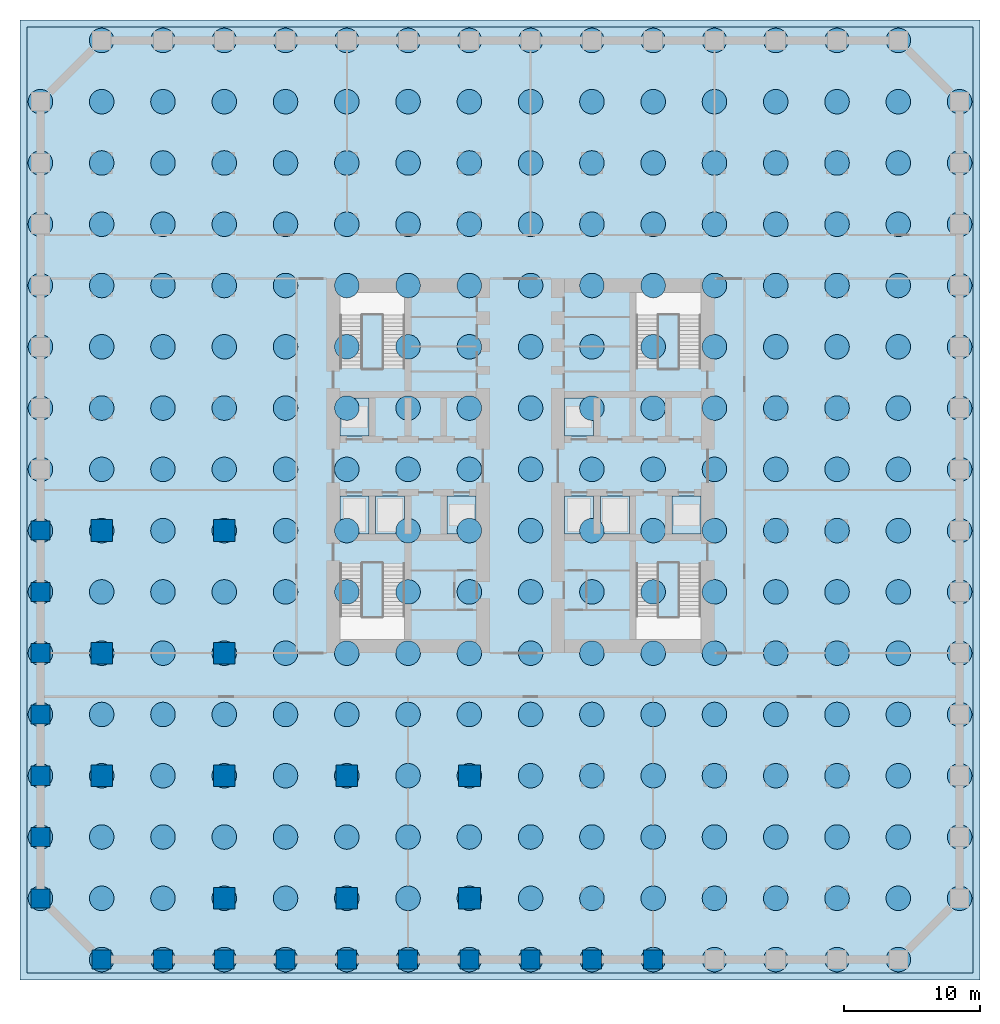
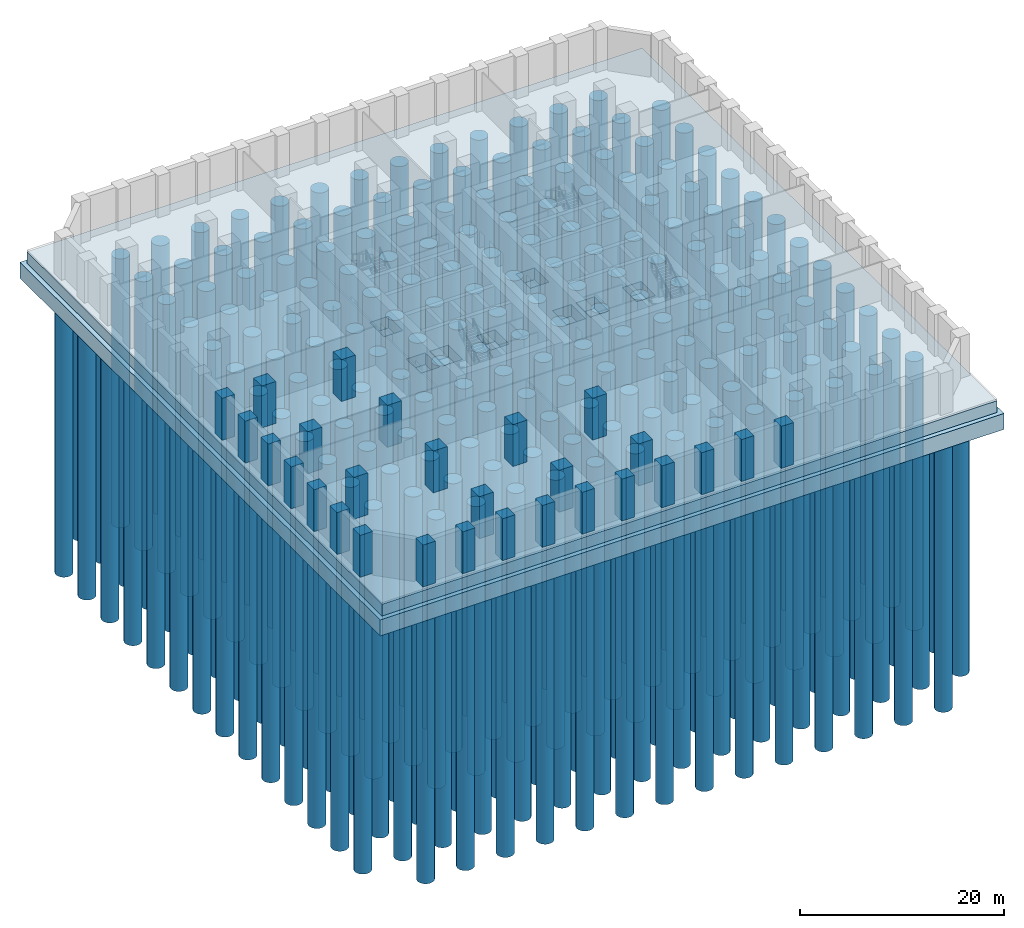
# One storey, part 1 of 9: 252 piles, 28 columns, 2 footings.
"""IFC4 building model written with IfcOpenShell, lengths in metres."""

from ifc_helpers import new_model, si_unit, direction, frame, origin, origin_2d, place, context, subcontext, project, spatial, polyline, rectangle, circle, outline, extrude, material, layer, layer_set, material_profile, profile_set, type_object, element, save


model = new_model("IFC4")

# Units and contexts
model_context = context("Model", 3, precision=1e-05, world=origin(), true_north=direction((0.0, 1.0)))
body_context = subcontext(model_context, "Body", "Model", "MODEL_VIEW")
ifc_project = project(units=[si_unit("LENGTHUNIT", "METRE"), si_unit("AREAUNIT", "SQUARE_METRE"), si_unit("VOLUMEUNIT", "CUBIC_METRE"), si_unit("PLANEANGLEUNIT", "RADIAN"), si_unit("MASSUNIT", "GRAM", prefix="KILO")], contexts=[model_context])

# Site, building, storey
site_placement = place(None, origin())
site = spatial("IfcSite", under=ifc_project, at=site_placement, CompositionType="ELEMENT")
building_placement = place(site_placement, origin())
building = spatial("IfcBuilding", under=site, at=building_placement, Name="Corbel Stack Research Tower", CompositionType="ELEMENT")
storey_placement = place(building_placement, frame((0.0, 0.0, -10.0)))
storey = spatial("IfcBuildingStorey", under=building, at=storey_placement, Name="B2", CompositionType="ELEMENT", Elevation=-10.0)

# Piles
ifc_material_1 = material(Name="Concrete C40/50", Category="concrete")
ifc_material_profile_1 = material_profile(ifc_material_1, circle(Radius=0.89990234375, at=origin_2d()), Name="Shaft 1800")
ifc_profile_set_1 = profile_set([ifc_material_profile_1], Name="Concrete C40/50")
pile_type = type_object("IfcPileType", Name="DS-1800", PredefinedType="BORED", material=ifc_profile_set_1)
for number, where, z_axis, x_axis, name in (
    (1, (-31.5, -27.0, -3.35009765625), (0.0, 0.0, -1.0), (1.0, 0.0, 0.0), "Drilled shaft 1"),
    (2, (-31.5, -22.5, -3.35009765625), (0.0, 0.0, -1.0), (1.0, 0.0, 0.0), "Drilled shaft 2"),
    (3, (-31.5, -18.0, -3.35009765625), (0.0, 0.0, -1.0), (1.0, 0.0, 0.0), "Drilled shaft 3"),
    (4, (-31.5, -13.5, -3.35009765625), (0.0, 0.0, -1.0), (1.0, 0.0, 0.0), "Drilled shaft 4"),
    (5, (-31.5, -9.0, -3.35009765625), (0.0, 0.0, -1.0), (1.0, 0.0, 0.0), "Drilled shaft 5"),
    (6, (-31.5, -4.5, -3.35009765625), (0.0, 0.0, -1.0), (1.0, 0.0, 0.0), "Drilled shaft 6"),
    (7, (-31.5, 0.0, -3.35009765625), (0.0, 0.0, -1.0), (1.0, 0.0, 0.0), "Drilled shaft 7"),
    (8, (-31.5, 4.5, -3.35009765625), (0.0, 0.0, -1.0), (1.0, 0.0, 0.0), "Drilled shaft 8"),
    (9, (-31.5, 9.0, -3.35009765625), (0.0, 0.0, -1.0), (1.0, 0.0, 0.0), "Drilled shaft 9"),
    (10, (-31.5, 13.5, -3.35009765625), (0.0, 0.0, -1.0), (1.0, 0.0, 0.0), "Drilled shaft 10"),
    (11, (-31.5, 18.0, -3.35009765625), (0.0, 0.0, -1.0), (1.0, 0.0, 0.0), "Drilled shaft 11"),
    (12, (-31.5, 22.5, -3.35009765625), (0.0, 0.0, -1.0), (1.0, 0.0, 0.0), "Drilled shaft 12"),
    (13, (-31.5, 27.0, -3.35009765625), (0.0, 0.0, -1.0), (1.0, 0.0, 0.0), "Drilled shaft 13"),
    (14, (-31.5, 31.5, -3.35009765625), (0.0, 0.0, -1.0), (1.0, 0.0, 0.0), "Drilled shaft 14"),
    (15, (-27.0, -31.5, -3.35009765625), (0.0, 0.0, -1.0), (1.0, 0.0, 0.0), "Drilled shaft 15"),
    (16, (-27.0, -27.0, -3.35009765625), (0.0, 0.0, -1.0), (1.0, 0.0, 0.0), "Drilled shaft 16"),
    (17, (-27.0, -22.5, -3.35009765625), (0.0, 0.0, -1.0), (1.0, 0.0, 0.0), "Drilled shaft 17"),
    (18, (-27.0, -18.0, -3.35009765625), (0.0, 0.0, -1.0), (1.0, 0.0, 0.0), "Drilled shaft 18"),
    (19, (-27.0, -13.5, -3.35009765625), (0.0, 0.0, -1.0), (1.0, 0.0, 0.0), "Drilled shaft 19"),
    (20, (-27.0, -9.0, -3.35009765625), (0.0, 0.0, -1.0), (1.0, 0.0, 0.0), "Drilled shaft 20"),
    (21, (-27.0, -4.5, -3.35009765625), (0.0, 0.0, -1.0), (1.0, 0.0, 0.0), "Drilled shaft 21"),
    (22, (-27.0, 0.0, -3.35009765625), (0.0, 0.0, -1.0), (1.0, 0.0, 0.0), "Drilled shaft 22"),
    (23, (-27.0, 4.5, -3.35009765625), (0.0, 0.0, -1.0), (1.0, 0.0, 0.0), "Drilled shaft 23"),
    (24, (-27.0, 9.0, -3.35009765625), (0.0, 0.0, -1.0), (1.0, 0.0, 0.0), "Drilled shaft 24"),
    (25, (-27.0, 13.5, -3.35009765625), (0.0, 0.0, -1.0), (1.0, 0.0, 0.0), "Drilled shaft 25"),
    (26, (-27.0, 18.0, -3.35009765625), (0.0, 0.0, -1.0), (1.0, 0.0, 0.0), "Drilled shaft 26"),
    (27, (-27.0, 22.5, -3.35009765625), (0.0, 0.0, -1.0), (1.0, 0.0, 0.0), "Drilled shaft 27"),
    (28, (-27.0, 27.0, -3.35009765625), (0.0, 0.0, -1.0), (1.0, 0.0, 0.0), "Drilled shaft 28"),
    (29, (-27.0, 31.5, -3.35009765625), (0.0, 0.0, -1.0), (1.0, 0.0, 0.0), "Drilled shaft 29"),
    (30, (-27.0, 36.0, -3.35009765625), (0.0, 0.0, -1.0), (1.0, 0.0, 0.0), "Drilled shaft 30"),
    (31, (-22.5, -31.5, -3.35009765625), (0.0, 0.0, -1.0), (1.0, 0.0, 0.0), "Drilled shaft 31"),
    (32, (-22.5, -27.0, -3.35009765625), (0.0, 0.0, -1.0), (1.0, 0.0, 0.0), "Drilled shaft 32"),
    (33, (-22.5, -22.5, -3.35009765625), (0.0, 0.0, -1.0), (1.0, 0.0, 0.0), "Drilled shaft 33"),
    (34, (-22.5, -18.0, -3.35009765625), (0.0, 0.0, -1.0), (1.0, 0.0, 0.0), "Drilled shaft 34"),
    (35, (-22.5, -13.5, -3.35009765625), (0.0, 0.0, -1.0), (1.0, 0.0, 0.0), "Drilled shaft 35"),
    (36, (-22.5, -9.0, -3.35009765625), (0.0, 0.0, -1.0), (1.0, 0.0, 0.0), "Drilled shaft 36"),
    (37, (-22.5, -4.5, -3.35009765625), (0.0, 0.0, -1.0), (1.0, 0.0, 0.0), "Drilled shaft 37"),
    (38, (-22.5, 0.0, -3.35009765625), (0.0, 0.0, -1.0), (1.0, 0.0, 0.0), "Drilled shaft 38"),
    (39, (-22.5, 4.5, -3.35009765625), (0.0, 0.0, -1.0), (1.0, 0.0, 0.0), "Drilled shaft 39"),
    (40, (-22.5, 9.0, -3.35009765625), (0.0, 0.0, -1.0), (1.0, 0.0, 0.0), "Drilled shaft 40"),
    (41, (-22.5, 13.5, -3.35009765625), (0.0, 0.0, -1.0), (1.0, 0.0, 0.0), "Drilled shaft 41"),
    (42, (-22.5, 18.0, -3.35009765625), (0.0, 0.0, -1.0), (1.0, 0.0, 0.0), "Drilled shaft 42"),
    (43, (-22.5, 22.5, -3.35009765625), (0.0, 0.0, -1.0), (1.0, 0.0, 0.0), "Drilled shaft 43"),
    (44, (-22.5, 27.0, -3.35009765625), (0.0, 0.0, -1.0), (1.0, 0.0, 0.0), "Drilled shaft 44"),
    (45, (-22.5, 31.5, -3.35009765625), (0.0, 0.0, -1.0), (1.0, 0.0, 0.0), "Drilled shaft 45"),
    (46, (-22.5, 36.0, -3.35009765625), (0.0, 0.0, -1.0), (1.0, 0.0, 0.0), "Drilled shaft 46"),
    (47, (-18.0, -31.5, -3.35009765625), (0.0, 0.0, -1.0), (1.0, 0.0, 0.0), "Drilled shaft 47"),
    (48, (-18.0, -27.0, -3.35009765625), (0.0, 0.0, -1.0), (1.0, 0.0, 0.0), "Drilled shaft 48"),
    (49, (-18.0, -22.5, -3.35009765625), (0.0, 0.0, -1.0), (1.0, 0.0, 0.0), "Drilled shaft 49"),
    (50, (-18.0, -18.0, -3.35009765625), (0.0, 0.0, -1.0), (1.0, 0.0, 0.0), "Drilled shaft 50"),
    (51, (-18.0, -13.5, -3.35009765625), (0.0, 0.0, -1.0), (1.0, 0.0, 0.0), "Drilled shaft 51"),
    (52, (-18.0, -9.0, -3.35009765625), (0.0, 0.0, -1.0), (1.0, 0.0, 0.0), "Drilled shaft 52"),
    (53, (-18.0, -4.5, -3.35009765625), (0.0, 0.0, -1.0), (1.0, 0.0, 0.0), "Drilled shaft 53"),
    (54, (-18.0, 0.0, -3.35009765625), (0.0, 0.0, -1.0), (1.0, 0.0, 0.0), "Drilled shaft 54"),
    (55, (-18.0, 4.5, -3.35009765625), (0.0, 0.0, -1.0), (1.0, 0.0, 0.0), "Drilled shaft 55"),
    (56, (-18.0, 9.0, -3.35009765625), (0.0, 0.0, -1.0), (1.0, 0.0, 0.0), "Drilled shaft 56"),
    (57, (-18.0, 13.5, -3.35009765625), (0.0, 0.0, -1.0), (1.0, 0.0, 0.0), "Drilled shaft 57"),
    (58, (-18.0, 18.0, -3.35009765625), (0.0, 0.0, -1.0), (1.0, 0.0, 0.0), "Drilled shaft 58"),
    (59, (-18.0, 22.5, -3.35009765625), (0.0, 0.0, -1.0), (1.0, 0.0, 0.0), "Drilled shaft 59"),
    (60, (-18.0, 27.0, -3.35009765625), (0.0, 0.0, -1.0), (1.0, 0.0, 0.0), "Drilled shaft 60"),
    (61, (-18.0, 31.5, -3.35009765625), (0.0, 0.0, -1.0), (1.0, 0.0, 0.0), "Drilled shaft 61"),
    (62, (-18.0, 36.0, -3.35009765625), (0.0, 0.0, -1.0), (1.0, 0.0, 0.0), "Drilled shaft 62"),
    (63, (-13.5, -31.5, -3.35009765625), (0.0, 0.0, -1.0), (1.0, 0.0, 0.0), "Drilled shaft 63"),
    (64, (-13.5, -27.0, -3.35009765625), (0.0, 0.0, -1.0), (1.0, 0.0, 0.0), "Drilled shaft 64"),
    (65, (-13.5, -22.5, -3.35009765625), (0.0, 0.0, -1.0), (1.0, 0.0, 0.0), "Drilled shaft 65"),
    (66, (-13.5, -18.0, -3.35009765625), (0.0, 0.0, -1.0), (1.0, 0.0, 0.0), "Drilled shaft 66"),
    (67, (-13.5, -13.5, -3.35009765625), (0.0, 0.0, -1.0), (1.0, 0.0, 0.0), "Drilled shaft 67"),
    (68, (-13.5, -9.0, -3.35009765625), (0.0, 0.0, -1.0), (1.0, 0.0, 0.0), "Drilled shaft 68"),
    (69, (-13.5, -4.5, -3.35009765625), (0.0, 0.0, -1.0), (1.0, 0.0, 0.0), "Drilled shaft 69"),
    (70, (-13.5, 0.0, -3.35009765625), (0.0, 0.0, -1.0), (1.0, 0.0, 0.0), "Drilled shaft 70"),
    (71, (-13.5, 4.5, -3.35009765625), (0.0, 0.0, -1.0), (1.0, 0.0, 0.0), "Drilled shaft 71"),
    (72, (-13.5, 9.0, -3.35009765625), (0.0, 0.0, -1.0), (1.0, 0.0, 0.0), "Drilled shaft 72"),
    (73, (-13.5, 13.5, -3.35009765625), (0.0, 0.0, -1.0), (1.0, 0.0, 0.0), "Drilled shaft 73"),
    (74, (-13.5, 18.0, -3.35009765625), (0.0, 0.0, -1.0), (1.0, 0.0, 0.0), "Drilled shaft 74"),
    (75, (-13.5, 22.5, -3.35009765625), (0.0, 0.0, -1.0), (1.0, 0.0, 0.0), "Drilled shaft 75"),
    (76, (-13.5, 27.0, -3.35009765625), (0.0, 0.0, -1.0), (1.0, 0.0, 0.0), "Drilled shaft 76"),
    (77, (-13.5, 31.5, -3.35009765625), (0.0, 0.0, -1.0), (1.0, 0.0, 0.0), "Drilled shaft 77"),
    (78, (-13.5, 36.0, -3.35009765625), (0.0, 0.0, -1.0), (1.0, 0.0, 0.0), "Drilled shaft 78"),
    (79, (-9.0, -31.5, -3.35009765625), (0.0, 0.0, -1.0), (1.0, 0.0, 0.0), "Drilled shaft 79"),
    (80, (-9.0, -27.0, -3.35009765625), (0.0, 0.0, -1.0), (1.0, 0.0, 0.0), "Drilled shaft 80"),
    (81, (-9.0, -22.5, -3.35009765625), (0.0, 0.0, -1.0), (1.0, 0.0, 0.0), "Drilled shaft 81"),
    (82, (-9.0, -18.0, -3.35009765625), (0.0, 0.0, -1.0), (1.0, 0.0, 0.0), "Drilled shaft 82"),
    (83, (-9.0, -13.5, -3.35009765625), (0.0, 0.0, -1.0), (1.0, 0.0, 0.0), "Drilled shaft 83"),
    (84, (-9.0, -9.0, -3.35009765625), (0.0, 0.0, -1.0), (1.0, 0.0, 0.0), "Drilled shaft 84"),
    (85, (-9.0, -4.5, -3.35009765625), (0.0, 0.0, -1.0), (1.0, 0.0, 0.0), "Drilled shaft 85"),
    (86, (-9.0, 0.0, -3.35009765625), (0.0, 0.0, -1.0), (1.0, 0.0, 0.0), "Drilled shaft 86"),
    (87, (-9.0, 4.5, -3.35009765625), (0.0, 0.0, -1.0), (1.0, 0.0, 0.0), "Drilled shaft 87"),
    (88, (-9.0, 9.0, -3.35009765625), (0.0, 0.0, -1.0), (1.0, 0.0, 0.0), "Drilled shaft 88"),
    (89, (-9.0, 13.5, -3.35009765625), (0.0, 0.0, -1.0), (1.0, 0.0, 0.0), "Drilled shaft 89"),
    (90, (-9.0, 18.0, -3.35009765625), (0.0, 0.0, -1.0), (1.0, 0.0, 0.0), "Drilled shaft 90"),
    (91, (-9.0, 22.5, -3.35009765625), (0.0, 0.0, -1.0), (1.0, 0.0, 0.0), "Drilled shaft 91"),
    (92, (-9.0, 27.0, -3.35009765625), (0.0, 0.0, -1.0), (1.0, 0.0, 0.0), "Drilled shaft 92"),
    (93, (-9.0, 31.5, -3.35009765625), (0.0, 0.0, -1.0), (1.0, 0.0, 0.0), "Drilled shaft 93"),
    (94, (-9.0, 36.0, -3.35009765625), (0.0, 0.0, -1.0), (1.0, 0.0, 0.0), "Drilled shaft 94"),
    (95, (-4.5, -31.5, -3.35009765625), (0.0, 0.0, -1.0), (1.0, 0.0, 0.0), "Drilled shaft 95"),
    (96, (-4.5, -27.0, -3.35009765625), (0.0, 0.0, -1.0), (1.0, 0.0, 0.0), "Drilled shaft 96"),
    (97, (-4.5, -22.5, -3.35009765625), (0.0, 0.0, -1.0), (1.0, 0.0, 0.0), "Drilled shaft 97"),
    (98, (-4.5, -18.0, -3.35009765625), (0.0, 0.0, -1.0), (1.0, 0.0, 0.0), "Drilled shaft 98"),
    (99, (-4.5, -13.5, -3.35009765625), (0.0, 0.0, -1.0), (1.0, 0.0, 0.0), "Drilled shaft 99"),
    (100, (-4.5, -9.0, -3.35009765625), (0.0, 0.0, -1.0), (1.0, 0.0, 0.0), "Drilled shaft 100"),
    (101, (-4.5, -4.5, -3.35009765625), (0.0, 0.0, -1.0), (1.0, 0.0, 0.0), "Drilled shaft 101"),
    (102, (-4.5, 0.0, -3.35009765625), (0.0, 0.0, -1.0), (1.0, 0.0, 0.0), "Drilled shaft 102"),
    (103, (-4.5, 4.5, -3.35009765625), (0.0, 0.0, -1.0), (1.0, 0.0, 0.0), "Drilled shaft 103"),
    (104, (-4.5, 9.0, -3.35009765625), (0.0, 0.0, -1.0), (1.0, 0.0, 0.0), "Drilled shaft 104"),
    (105, (-4.5, 13.5, -3.35009765625), (0.0, 0.0, -1.0), (1.0, 0.0, 0.0), "Drilled shaft 105"),
    (106, (-4.5, 18.0, -3.35009765625), (0.0, 0.0, -1.0), (1.0, 0.0, 0.0), "Drilled shaft 106"),
    (107, (-4.5, 22.5, -3.35009765625), (0.0, 0.0, -1.0), (1.0, 0.0, 0.0), "Drilled shaft 107"),
    (108, (-4.5, 27.0, -3.35009765625), (0.0, 0.0, -1.0), (1.0, 0.0, 0.0), "Drilled shaft 108"),
    (109, (-4.5, 31.5, -3.35009765625), (0.0, 0.0, -1.0), (1.0, 0.0, 0.0), "Drilled shaft 109"),
    (110, (-4.5, 36.0, -3.35009765625), (0.0, 0.0, -1.0), (1.0, 0.0, 0.0), "Drilled shaft 110"),
    (111, (0.0, -31.5, -3.35009765625), (0.0, 0.0, -1.0), (1.0, 0.0, 0.0), "Drilled shaft 111"),
    (112, (0.0, -27.0, -3.35009765625), (0.0, 0.0, -1.0), (1.0, 0.0, 0.0), "Drilled shaft 112"),
    (113, (0.0, -22.5, -3.35009765625), (0.0, 0.0, -1.0), (1.0, 0.0, 0.0), "Drilled shaft 113"),
    (114, (0.0, -18.0, -3.35009765625), (0.0, 0.0, -1.0), (1.0, 0.0, 0.0), "Drilled shaft 114"),
    (115, (0.0, -13.5, -3.35009765625), (0.0, 0.0, -1.0), (1.0, 0.0, 0.0), "Drilled shaft 115"),
    (116, (0.0, -9.0, -3.35009765625), (0.0, 0.0, -1.0), (1.0, 0.0, 0.0), "Drilled shaft 116"),
    (117, (0.0, -4.5, -3.35009765625), (0.0, 0.0, -1.0), (1.0, 0.0, 0.0), "Drilled shaft 117"),
    (118, (0.0, 0.0, -3.35009765625), (0.0, 0.0, -1.0), (1.0, 0.0, 0.0), "Drilled shaft 118"),
    (119, (0.0, 4.5, -3.35009765625), (0.0, 0.0, -1.0), (1.0, 0.0, 0.0), "Drilled shaft 119"),
    (120, (0.0, 9.0, -3.35009765625), (0.0, 0.0, -1.0), (1.0, 0.0, 0.0), "Drilled shaft 120"),
    (121, (0.0, 13.5, -3.35009765625), (0.0, 0.0, -1.0), (1.0, 0.0, 0.0), "Drilled shaft 121"),
    (122, (0.0, 18.0, -3.35009765625), (0.0, 0.0, -1.0), (1.0, 0.0, 0.0), "Drilled shaft 122"),
    (123, (0.0, 22.5, -3.35009765625), (0.0, 0.0, -1.0), (1.0, 0.0, 0.0), "Drilled shaft 123"),
    (124, (0.0, 27.0, -3.35009765625), (0.0, 0.0, -1.0), (1.0, 0.0, 0.0), "Drilled shaft 124"),
    (125, (0.0, 31.5, -3.35009765625), (0.0, 0.0, -1.0), (1.0, 0.0, 0.0), "Drilled shaft 125"),
    (126, (0.0, 36.0, -3.35009765625), (0.0, 0.0, -1.0), (1.0, 0.0, 0.0), "Drilled shaft 126"),
    (127, (4.5, -31.5, -3.35009765625), (0.0, 0.0, -1.0), (1.0, 0.0, 0.0), "Drilled shaft 127"),
    (128, (4.5, -27.0, -3.35009765625), (0.0, 0.0, -1.0), (1.0, 0.0, 0.0), "Drilled shaft 128"),
    (129, (4.5, -22.5, -3.35009765625), (0.0, 0.0, -1.0), (1.0, 0.0, 0.0), "Drilled shaft 129"),
    (130, (4.5, -18.0, -3.35009765625), (0.0, 0.0, -1.0), (1.0, 0.0, 0.0), "Drilled shaft 130"),
    (131, (4.5, -13.5, -3.35009765625), (0.0, 0.0, -1.0), (1.0, 0.0, 0.0), "Drilled shaft 131"),
    (132, (4.5, -9.0, -3.35009765625), (0.0, 0.0, -1.0), (1.0, 0.0, 0.0), "Drilled shaft 132"),
    (133, (4.5, -4.5, -3.35009765625), (0.0, 0.0, -1.0), (1.0, 0.0, 0.0), "Drilled shaft 133"),
    (134, (4.5, 0.0, -3.35009765625), (0.0, 0.0, -1.0), (1.0, 0.0, 0.0), "Drilled shaft 134"),
    (135, (4.5, 4.5, -3.35009765625), (0.0, 0.0, -1.0), (1.0, 0.0, 0.0), "Drilled shaft 135"),
    (136, (4.5, 9.0, -3.35009765625), (0.0, 0.0, -1.0), (1.0, 0.0, 0.0), "Drilled shaft 136"),
    (137, (4.5, 13.5, -3.35009765625), (0.0, 0.0, -1.0), (1.0, 0.0, 0.0), "Drilled shaft 137"),
    (138, (4.5, 18.0, -3.35009765625), (0.0, 0.0, -1.0), (1.0, 0.0, 0.0), "Drilled shaft 138"),
    (139, (4.5, 22.5, -3.35009765625), (0.0, 0.0, -1.0), (1.0, 0.0, 0.0), "Drilled shaft 139"),
    (140, (4.5, 27.0, -3.35009765625), (0.0, 0.0, -1.0), (1.0, 0.0, 0.0), "Drilled shaft 140"),
    (141, (4.5, 31.5, -3.35009765625), (0.0, 0.0, -1.0), (1.0, 0.0, 0.0), "Drilled shaft 141"),
    (142, (4.5, 36.0, -3.35009765625), (0.0, 0.0, -1.0), (1.0, 0.0, 0.0), "Drilled shaft 142"),
    (143, (9.0, -31.5, -3.35009765625), (0.0, 0.0, -1.0), (1.0, 0.0, 0.0), "Drilled shaft 143"),
    (144, (9.0, -27.0, -3.35009765625), (0.0, 0.0, -1.0), (1.0, 0.0, 0.0), "Drilled shaft 144"),
    (145, (9.0, -22.5, -3.35009765625), (0.0, 0.0, -1.0), (1.0, 0.0, 0.0), "Drilled shaft 145"),
    (146, (9.0, -18.0, -3.35009765625), (0.0, 0.0, -1.0), (1.0, 0.0, 0.0), "Drilled shaft 146"),
    (147, (9.0, -13.5, -3.35009765625), (0.0, 0.0, -1.0), (1.0, 0.0, 0.0), "Drilled shaft 147"),
    (148, (9.0, -9.0, -3.35009765625), (0.0, 0.0, -1.0), (1.0, 0.0, 0.0), "Drilled shaft 148"),
    (149, (9.0, -4.5, -3.35009765625), (0.0, 0.0, -1.0), (1.0, 0.0, 0.0), "Drilled shaft 149"),
    (150, (9.0, 0.0, -3.35009765625), (0.0, 0.0, -1.0), (1.0, 0.0, 0.0), "Drilled shaft 150"),
    (151, (9.0, 4.5, -3.35009765625), (0.0, 0.0, -1.0), (1.0, 0.0, 0.0), "Drilled shaft 151"),
    (152, (9.0, 9.0, -3.35009765625), (0.0, 0.0, -1.0), (1.0, 0.0, 0.0), "Drilled shaft 152"),
    (153, (9.0, 13.5, -3.35009765625), (0.0, 0.0, -1.0), (1.0, 0.0, 0.0), "Drilled shaft 153"),
    (154, (9.0, 18.0, -3.35009765625), (0.0, 0.0, -1.0), (1.0, 0.0, 0.0), "Drilled shaft 154"),
    (155, (9.0, 22.5, -3.35009765625), (0.0, 0.0, -1.0), (1.0, 0.0, 0.0), "Drilled shaft 155"),
    (156, (9.0, 27.0, -3.35009765625), (0.0, 0.0, -1.0), (1.0, 0.0, 0.0), "Drilled shaft 156"),
    (157, (9.0, 31.5, -3.35009765625), (0.0, 0.0, -1.0), (1.0, 0.0, 0.0), "Drilled shaft 157"),
    (158, (9.0, 36.0, -3.35009765625), (0.0, 0.0, -1.0), (1.0, 0.0, 0.0), "Drilled shaft 158"),
    (159, (13.5, -31.5, -3.35009765625), (0.0, 0.0, -1.0), (1.0, 0.0, 0.0), "Drilled shaft 159"),
    (160, (13.5, -27.0, -3.35009765625), (0.0, 0.0, -1.0), (1.0, 0.0, 0.0), "Drilled shaft 160"),
    (161, (13.5, -22.5, -3.35009765625), (0.0, 0.0, -1.0), (1.0, 0.0, 0.0), "Drilled shaft 161"),
    (162, (13.5, -18.0, -3.35009765625), (0.0, 0.0, -1.0), (1.0, 0.0, 0.0), "Drilled shaft 162"),
    (163, (13.5, -13.5, -3.35009765625), (0.0, 0.0, -1.0), (1.0, 0.0, 0.0), "Drilled shaft 163"),
    (164, (13.5, -9.0, -3.35009765625), (0.0, 0.0, -1.0), (1.0, 0.0, 0.0), "Drilled shaft 164"),
    (165, (13.5, -4.5, -3.35009765625), (0.0, 0.0, -1.0), (1.0, 0.0, 0.0), "Drilled shaft 165"),
    (166, (13.5, 0.0, -3.35009765625), (0.0, 0.0, -1.0), (1.0, 0.0, 0.0), "Drilled shaft 166"),
    (167, (13.5, 4.5, -3.35009765625), (0.0, 0.0, -1.0), (1.0, 0.0, 0.0), "Drilled shaft 167"),
    (168, (13.5, 9.0, -3.35009765625), (0.0, 0.0, -1.0), (1.0, 0.0, 0.0), "Drilled shaft 168"),
    (169, (13.5, 13.5, -3.35009765625), (0.0, 0.0, -1.0), (1.0, 0.0, 0.0), "Drilled shaft 169"),
    (170, (13.5, 18.0, -3.35009765625), (0.0, 0.0, -1.0), (1.0, 0.0, 0.0), "Drilled shaft 170"),
    (171, (13.5, 22.5, -3.35009765625), (0.0, 0.0, -1.0), (1.0, 0.0, 0.0), "Drilled shaft 171"),
    (172, (13.5, 27.0, -3.35009765625), (0.0, 0.0, -1.0), (1.0, 0.0, 0.0), "Drilled shaft 172"),
    (173, (13.5, 31.5, -3.35009765625), (0.0, 0.0, -1.0), (1.0, 0.0, 0.0), "Drilled shaft 173"),
    (174, (13.5, 36.0, -3.35009765625), (0.0, 0.0, -1.0), (1.0, 0.0, 0.0), "Drilled shaft 174"),
    (175, (18.0, -31.5, -3.35009765625), (0.0, 0.0, -1.0), (1.0, 0.0, 0.0), "Drilled shaft 175"),
    (176, (18.0, -27.0, -3.35009765625), (0.0, 0.0, -1.0), (1.0, 0.0, 0.0), "Drilled shaft 176"),
    (177, (18.0, -22.5, -3.35009765625), (0.0, 0.0, -1.0), (1.0, 0.0, 0.0), "Drilled shaft 177"),
    (178, (18.0, -18.0, -3.35009765625), (0.0, 0.0, -1.0), (1.0, 0.0, 0.0), "Drilled shaft 178"),
    (179, (18.0, -13.5, -3.35009765625), (0.0, 0.0, -1.0), (1.0, 0.0, 0.0), "Drilled shaft 179"),
    (180, (18.0, -9.0, -3.35009765625), (0.0, 0.0, -1.0), (1.0, 0.0, 0.0), "Drilled shaft 180"),
    (181, (18.0, -4.5, -3.35009765625), (0.0, 0.0, -1.0), (1.0, 0.0, 0.0), "Drilled shaft 181"),
    (182, (18.0, 0.0, -3.35009765625), (0.0, 0.0, -1.0), (1.0, 0.0, 0.0), "Drilled shaft 182"),
    (183, (18.0, 4.5, -3.35009765625), (0.0, 0.0, -1.0), (1.0, 0.0, 0.0), "Drilled shaft 183"),
    (184, (18.0, 9.0, -3.35009765625), (0.0, 0.0, -1.0), (1.0, 0.0, 0.0), "Drilled shaft 184"),
    (185, (18.0, 13.5, -3.35009765625), (0.0, 0.0, -1.0), (1.0, 0.0, 0.0), "Drilled shaft 185"),
    (186, (18.0, 18.0, -3.35009765625), (0.0, 0.0, -1.0), (1.0, 0.0, 0.0), "Drilled shaft 186"),
    (187, (18.0, 22.5, -3.35009765625), (0.0, 0.0, -1.0), (1.0, 0.0, 0.0), "Drilled shaft 187"),
    (188, (18.0, 27.0, -3.35009765625), (0.0, 0.0, -1.0), (1.0, 0.0, 0.0), "Drilled shaft 188"),
    (189, (18.0, 31.5, -3.35009765625), (0.0, 0.0, -1.0), (1.0, 0.0, 0.0), "Drilled shaft 189"),
    (190, (18.0, 36.0, -3.35009765625), (0.0, 0.0, -1.0), (1.0, 0.0, 0.0), "Drilled shaft 190"),
    (191, (22.5, -31.5, -3.35009765625), (0.0, 0.0, -1.0), (1.0, 0.0, 0.0), "Drilled shaft 191"),
    (192, (22.5, -27.0, -3.35009765625), (0.0, 0.0, -1.0), (1.0, 0.0, 0.0), "Drilled shaft 192"),
    (193, (22.5, -22.5, -3.35009765625), (0.0, 0.0, -1.0), (1.0, 0.0, 0.0), "Drilled shaft 193"),
    (194, (22.5, -18.0, -3.35009765625), (0.0, 0.0, -1.0), (1.0, 0.0, 0.0), "Drilled shaft 194"),
    (195, (22.5, -13.5, -3.35009765625), (0.0, 0.0, -1.0), (1.0, 0.0, 0.0), "Drilled shaft 195"),
    (196, (22.5, -9.0, -3.35009765625), (0.0, 0.0, -1.0), (1.0, 0.0, 0.0), "Drilled shaft 196"),
    (197, (22.5, -4.5, -3.35009765625), (0.0, 0.0, -1.0), (1.0, 0.0, 0.0), "Drilled shaft 197"),
    (198, (22.5, 0.0, -3.35009765625), (0.0, 0.0, -1.0), (1.0, 0.0, 0.0), "Drilled shaft 198"),
    (199, (22.5, 4.5, -3.35009765625), (0.0, 0.0, -1.0), (1.0, 0.0, 0.0), "Drilled shaft 199"),
    (200, (22.5, 9.0, -3.35009765625), (0.0, 0.0, -1.0), (1.0, 0.0, 0.0), "Drilled shaft 200"),
    (201, (22.5, 13.5, -3.35009765625), (0.0, 0.0, -1.0), (1.0, 0.0, 0.0), "Drilled shaft 201"),
    (202, (22.5, 18.0, -3.35009765625), (0.0, 0.0, -1.0), (1.0, 0.0, 0.0), "Drilled shaft 202"),
    (203, (22.5, 22.5, -3.35009765625), (0.0, 0.0, -1.0), (1.0, 0.0, 0.0), "Drilled shaft 203"),
    (204, (22.5, 27.0, -3.35009765625), (0.0, 0.0, -1.0), (1.0, 0.0, 0.0), "Drilled shaft 204"),
    (205, (22.5, 31.5, -3.35009765625), (0.0, 0.0, -1.0), (1.0, 0.0, 0.0), "Drilled shaft 205"),
    (206, (22.5, 36.0, -3.35009765625), (0.0, 0.0, -1.0), (1.0, 0.0, 0.0), "Drilled shaft 206"),
    (207, (27.0, -31.5, -3.35009765625), (0.0, 0.0, -1.0), (1.0, 0.0, 0.0), "Drilled shaft 207"),
    (208, (27.0, -27.0, -3.35009765625), (0.0, 0.0, -1.0), (1.0, 0.0, 0.0), "Drilled shaft 208"),
    (209, (27.0, -22.5, -3.35009765625), (0.0, 0.0, -1.0), (1.0, 0.0, 0.0), "Drilled shaft 209"),
    (210, (27.0, -18.0, -3.35009765625), (0.0, 0.0, -1.0), (1.0, 0.0, 0.0), "Drilled shaft 210"),
    (211, (27.0, -13.5, -3.35009765625), (0.0, 0.0, -1.0), (1.0, 0.0, 0.0), "Drilled shaft 211"),
    (212, (27.0, -9.0, -3.35009765625), (0.0, 0.0, -1.0), (1.0, 0.0, 0.0), "Drilled shaft 212"),
    (213, (27.0, -4.5, -3.35009765625), (0.0, 0.0, -1.0), (1.0, 0.0, 0.0), "Drilled shaft 213"),
    (214, (27.0, 0.0, -3.35009765625), (0.0, 0.0, -1.0), (1.0, 0.0, 0.0), "Drilled shaft 214"),
    (215, (27.0, 4.5, -3.35009765625), (0.0, 0.0, -1.0), (1.0, 0.0, 0.0), "Drilled shaft 215"),
    (216, (27.0, 9.0, -3.35009765625), (0.0, 0.0, -1.0), (1.0, 0.0, 0.0), "Drilled shaft 216"),
    (217, (27.0, 13.5, -3.35009765625), (0.0, 0.0, -1.0), (1.0, 0.0, 0.0), "Drilled shaft 217"),
    (218, (27.0, 18.0, -3.35009765625), (0.0, 0.0, -1.0), (1.0, 0.0, 0.0), "Drilled shaft 218"),
    (219, (27.0, 22.5, -3.35009765625), (0.0, 0.0, -1.0), (1.0, 0.0, 0.0), "Drilled shaft 219"),
    (220, (27.0, 27.0, -3.35009765625), (0.0, 0.0, -1.0), (1.0, 0.0, 0.0), "Drilled shaft 220"),
    (221, (27.0, 31.5, -3.35009765625), (0.0, 0.0, -1.0), (1.0, 0.0, 0.0), "Drilled shaft 221"),
    (222, (27.0, 36.0, -3.35009765625), (0.0, 0.0, -1.0), (1.0, 0.0, 0.0), "Drilled shaft 222"),
    (223, (31.5, -31.5, -3.35009765625), (0.0, 0.0, -1.0), (1.0, 0.0, 0.0), "Drilled shaft 223"),
    (224, (31.5, -27.0, -3.35009765625), (0.0, 0.0, -1.0), (1.0, 0.0, 0.0), "Drilled shaft 224"),
    (225, (31.5, -22.5, -3.35009765625), (0.0, 0.0, -1.0), (1.0, 0.0, 0.0), "Drilled shaft 225"),
    (226, (31.5, -18.0, -3.35009765625), (0.0, 0.0, -1.0), (1.0, 0.0, 0.0), "Drilled shaft 226"),
    (227, (31.5, -13.5, -3.35009765625), (0.0, 0.0, -1.0), (1.0, 0.0, 0.0), "Drilled shaft 227"),
    (228, (31.5, -9.0, -3.35009765625), (0.0, 0.0, -1.0), (1.0, 0.0, 0.0), "Drilled shaft 228"),
    (229, (31.5, -4.5, -3.35009765625), (0.0, 0.0, -1.0), (1.0, 0.0, 0.0), "Drilled shaft 229"),
    (230, (31.5, 0.0, -3.35009765625), (0.0, 0.0, -1.0), (1.0, 0.0, 0.0), "Drilled shaft 230"),
    (231, (31.5, 4.5, -3.35009765625), (0.0, 0.0, -1.0), (1.0, 0.0, 0.0), "Drilled shaft 231"),
    (232, (31.5, 9.0, -3.35009765625), (0.0, 0.0, -1.0), (1.0, 0.0, 0.0), "Drilled shaft 232"),
    (233, (31.5, 13.5, -3.35009765625), (0.0, 0.0, -1.0), (1.0, 0.0, 0.0), "Drilled shaft 233"),
    (234, (31.5, 18.0, -3.35009765625), (0.0, 0.0, -1.0), (1.0, 0.0, 0.0), "Drilled shaft 234"),
    (235, (31.5, 22.5, -3.35009765625), (0.0, 0.0, -1.0), (1.0, 0.0, 0.0), "Drilled shaft 235"),
    (236, (31.5, 27.0, -3.35009765625), (0.0, 0.0, -1.0), (1.0, 0.0, 0.0), "Drilled shaft 236"),
    (237, (31.5, 31.5, -3.35009765625), (0.0, 0.0, -1.0), (1.0, 0.0, 0.0), "Drilled shaft 237"),
    (238, (31.5, 36.0, -3.35009765625), (0.0, 0.0, -1.0), (1.0, 0.0, 0.0), "Drilled shaft 238"),
    (239, (36.0, -27.0, -3.35009765625), (0.0, 0.0, -1.0), (1.0, 0.0, 0.0), "Drilled shaft 239"),
    (240, (36.0, -22.5, -3.35009765625), (0.0, 0.0, -1.0), (1.0, 0.0, 0.0), "Drilled shaft 240"),
    (241, (36.0, -18.0, -3.35009765625), (0.0, 0.0, -1.0), (1.0, 0.0, 0.0), "Drilled shaft 241"),
    (242, (36.0, -13.5, -3.35009765625), (0.0, 0.0, -1.0), (1.0, 0.0, 0.0), "Drilled shaft 242"),
    (243, (36.0, -9.0, -3.35009765625), (0.0, 0.0, -1.0), (1.0, 0.0, 0.0), "Drilled shaft 243"),
    (244, (36.0, -4.5, -3.35009765625), (0.0, 0.0, -1.0), (1.0, 0.0, 0.0), "Drilled shaft 244"),
    (245, (36.0, 0.0, -3.35009765625), (0.0, 0.0, -1.0), (1.0, 0.0, 0.0), "Drilled shaft 245"),
    (246, (36.0, 4.5, -3.35009765625), (0.0, 0.0, -1.0), (1.0, 0.0, 0.0), "Drilled shaft 246"),
    (247, (36.0, 9.0, -3.35009765625), (0.0, 0.0, -1.0), (1.0, 0.0, 0.0), "Drilled shaft 247"),
    (248, (36.0, 13.5, -3.35009765625), (0.0, 0.0, -1.0), (1.0, 0.0, 0.0), "Drilled shaft 248"),
    (249, (36.0, 18.0, -3.35009765625), (0.0, 0.0, -1.0), (1.0, 0.0, 0.0), "Drilled shaft 249"),
    (250, (36.0, 22.5, -3.35009765625), (0.0, 0.0, -1.0), (1.0, 0.0, 0.0), "Drilled shaft 250"),
    (251, (36.0, 27.0, -3.35009765625), (0.0, 0.0, -1.0), (1.0, 0.0, 0.0), "Drilled shaft 251"),
    (252, (36.0, 31.5, -3.35009765625), (0.0, 0.0, -1.0), (1.0, 0.0, 0.0), "Drilled shaft 252"),
):
    element("IfcPile", number, at=place(storey_placement, frame(where, z_axis=z_axis, x_axis=x_axis)), inside=storey, type_object=pile_type, Name=name, PredefinedType="BORED", context=body_context, shape_type="SweptSolid", body=[
        extrude(circle(Radius=0.89990234375, at=origin_2d()), origin(), (0.0, 0.0, 1.0), 32.14990234375),
    ])

# Footings
ifc_material_2 = material(Name="Concrete C45/55", Category="concrete")
ifc_layer_1 = layer(ifc_material_2, 1.39990234375)
ifc_layer_set_1 = layer_set([ifc_layer_1], Name="Concrete C45/55")
footing_type_1 = type_object("IfcFootingType", Name="RF-1400", PredefinedType="PILE_CAP", material=ifc_layer_set_1)
footing_1_placement = place(storey_placement, frame((0.0, 0.0, -1.60009765625)))
element("IfcFooting", 253, at=footing_1_placement, inside=storey, type_object=footing_type_1, Name="Raft foundation, upper layer with lift pits", PredefinedType="PILE_CAP", context=body_context, shape_type="SweptSolid", body=[
    extrude(outline(polyline([(37.0, -32.5), (37.0, 37.0), (-32.5, 37.0), (-32.5, -32.5), (37.0, -32.5)]), holes=[polyline([(14.875, 2.550048828125), (17.0, 2.550048828125), (17.0, -0.25), (14.875, -0.25), (14.875, 2.550048828125)]), polyline([(9.625, 2.550048828125), (11.75, 2.550048828125), (11.75, -0.25), (9.625, -0.25), (9.625, 2.550048828125)]), polyline([(9.125, 2.550048828125), (9.125, -0.25), (7.0, -0.25), (7.0, 2.550048828125), (9.125, 2.550048828125)]), polyline([(7.0, 6.949951171875), (7.0, 9.75), (9.125, 9.75), (9.125, 6.949951171875), (7.0, 6.949951171875)]), polyline([(-1.625, 2.550048828125), (0.5, 2.550048828125), (0.5, -0.25), (-1.625, -0.25), (-1.625, 2.550048828125)]), polyline([(-6.875, 2.550048828125), (-4.75, 2.550048828125), (-4.75, -0.25), (-6.875, -0.25), (-6.875, 2.550048828125)]), polyline([(-7.375, 2.550048828125), (-7.375, -0.25), (-9.5, -0.25), (-9.5, 2.550048828125), (-7.375, 2.550048828125)]), polyline([(-9.5, 6.949951171875), (-9.5, 9.75), (-7.375, 9.75), (-7.375, 6.949951171875), (-9.5, 6.949951171875)])]), origin(), (0.0, 0.0, 1.0), 1.400146484375),
])
ifc_material_3 = material(Name="Concrete C45/55", Category="concrete")
ifc_layer_2 = layer(ifc_material_3, 1.89990234375)
ifc_layer_set_2 = layer_set([ifc_layer_2], Name="Concrete C45/55")
footing_type_2 = type_object("IfcFootingType", Name="RF-1900", PredefinedType="PILE_CAP", material=ifc_layer_set_2)
footing_2_placement = place(storey_placement, frame((0.0, 0.0, -3.5)))
element("IfcFooting", 254, at=footing_2_placement, inside=storey, type_object=footing_type_2, Name="Raft foundation, lower layer", PredefinedType="PILE_CAP", context=body_context, shape_type="SweptSolid", body=[
    extrude(outline(polyline([(-33.0, -33.0), (37.5, -33.0), (37.5, 37.5), (-33.0, 37.5), (-33.0, -33.0)])), origin(), (0.0, 0.0, 1.0), 1.89990234375),
])

# Columns
ifc_material_4 = material(Name="Concrete C70/85", Category="concrete")
ifc_material_profile_2 = material_profile(ifc_material_4, rectangle(XDim=1.39990234375, YDim=1.39990234375, at=origin_2d()), Name="RC 1400 x 1400")
ifc_profile_set_2 = profile_set([ifc_material_profile_2], Name="Concrete C70/85")
column_type_1 = type_object("IfcColumnType", Name="C-1400-70", PredefinedType="COLUMN", material=ifc_profile_set_2)
for number, where, z_axis, x_axis, name in (
    (255, (-31.5, -27.0, 0.0), (0.0, 0.0, 1.0), (1.0, 0.0, 0.0), "Column 1/B B2"),
    (256, (-31.5, -22.5, 0.0), (0.0, 0.0, 1.0), (1.0, 0.0, 0.0), "Column 1/C B2"),
    (257, (-31.5, -18.0, 0.0), (0.0, 0.0, 1.0), (1.0, 0.0, 0.0), "Column 1/D B2"),
    (258, (-31.5, -13.5, 0.0), (0.0, 0.0, 1.0), (1.0, 0.0, 0.0), "Column 1/E B2"),
    (259, (-31.5, -9.0, 0.0), (0.0, 0.0, 1.0), (1.0, 0.0, 0.0), "Column 1/F B2"),
    (260, (-31.5, -4.5, 0.0), (0.0, 0.0, 1.0), (1.0, 0.0, 0.0), "Column 1/G B2"),
    (261, (-31.5, 0.0, 0.0), (0.0, 0.0, 1.0), (1.0, 0.0, 0.0), "Column 1/H B2"),
    (262, (-27.0, -31.5, 0.0), (0.0, 0.0, 1.0), (1.0, 0.0, 0.0), "Column 2/A B2"),
    (263, (-22.5, -31.5, 0.0), (0.0, 0.0, 1.0), (1.0, 0.0, 0.0), "Column 3/A B2"),
    (264, (-18.0, -31.5, 0.0), (0.0, 0.0, 1.0), (1.0, 0.0, 0.0), "Column 4/A B2"),
    (265, (-13.5, -31.5, 0.0), (0.0, 0.0, 1.0), (1.0, 0.0, 0.0), "Column 5/A B2"),
    (266, (-9.0, -31.5, 0.0), (0.0, 0.0, 1.0), (1.0, 0.0, 0.0), "Column 6/A B2"),
    (267, (-4.5, -31.5, 0.0), (0.0, 0.0, 1.0), (1.0, 0.0, 0.0), "Column 7/A B2"),
    (268, (0.0, -31.5, 0.0), (0.0, 0.0, 1.0), (1.0, 0.0, 0.0), "Column 8/A B2"),
    (269, (4.5, -31.5, 0.0), (0.0, 0.0, 1.0), (1.0, 0.0, 0.0), "Column 9/A B2"),
    (270, (9.0, -31.5, 0.0), (0.0, 0.0, 1.0), (1.0, 0.0, 0.0), "Column 10/A B2"),
    (271, (13.5, -31.5, 0.0), (0.0, 0.0, 1.0), (1.0, 0.0, 0.0), "Column 11/A B2"),
):
    element("IfcColumn", number, at=place(storey_placement, frame(where, z_axis=z_axis, x_axis=x_axis)), inside=storey, type_object=column_type_1, Name=name, PredefinedType="COLUMN", context=body_context, shape_type="SweptSolid", body=[
        extrude(rectangle(XDim=1.39990234375, YDim=1.39990234375, at=origin_2d()), origin(), (0.0, 0.0, 1.0), 5.0),
    ])
ifc_material_5 = material(Name="Concrete C70/85", Category="concrete")
ifc_material_profile_3 = material_profile(ifc_material_5, rectangle(XDim=1.60009765625, YDim=1.60009765625, at=origin_2d()), Name="RC 1600 x 1600")
ifc_profile_set_3 = profile_set([ifc_material_profile_3], Name="Concrete C70/85")
column_type_2 = type_object("IfcColumnType", Name="C-1600-70", PredefinedType="COLUMN", material=ifc_profile_set_3)
for number, where, z_axis, x_axis, name in (
    (272, (-27.0, -18.0, 0.0), (0.0, 0.0, 1.0), (1.0, 0.0, 0.0), "Column 2/D B2"),
    (273, (-27.0, -9.0, 0.0), (0.0, 0.0, 1.0), (1.0, 0.0, 0.0), "Column 2/F B2"),
    (274, (-27.0, 0.0, 0.0), (0.0, 0.0, 1.0), (1.0, 0.0, 0.0), "Column 2/H B2"),
    (275, (-18.0, -27.0, 0.0), (0.0, 0.0, 1.0), (1.0, 0.0, 0.0), "Column 4/B B2"),
    (276, (-18.0, -18.0, 0.0), (0.0, 0.0, 1.0), (1.0, 0.0, 0.0), "Column 4/D B2"),
    (277, (-18.0, -9.0, 0.0), (0.0, 0.0, 1.0), (1.0, 0.0, 0.0), "Column 4/F B2"),
    (278, (-18.0, 0.0, 0.0), (0.0, 0.0, 1.0), (1.0, 0.0, 0.0), "Column 4/H B2"),
    (279, (-9.0, -27.0, 0.0), (0.0, 0.0, 1.0), (1.0, 0.0, 0.0), "Column 6/B B2"),
    (280, (-9.0, -18.0, 0.0), (0.0, 0.0, 1.0), (1.0, 0.0, 0.0), "Column 6/D B2"),
    (281, (0.0, -27.0, 0.0), (0.0, 0.0, 1.0), (1.0, 0.0, 0.0), "Column 8/B B2"),
    (282, (0.0, -18.0, 0.0), (0.0, 0.0, 1.0), (1.0, 0.0, 0.0), "Column 8/D B2"),
):
    element("IfcColumn", number, at=place(storey_placement, frame(where, z_axis=z_axis, x_axis=x_axis)), inside=storey, type_object=column_type_2, Name=name, PredefinedType="COLUMN", context=body_context, shape_type="SweptSolid", body=[
        extrude(rectangle(XDim=1.60009765625, YDim=1.60009765625, at=origin_2d()), origin(), (0.0, 0.0, 1.0), 5.0),
    ])

save(model, "model.ifc")
